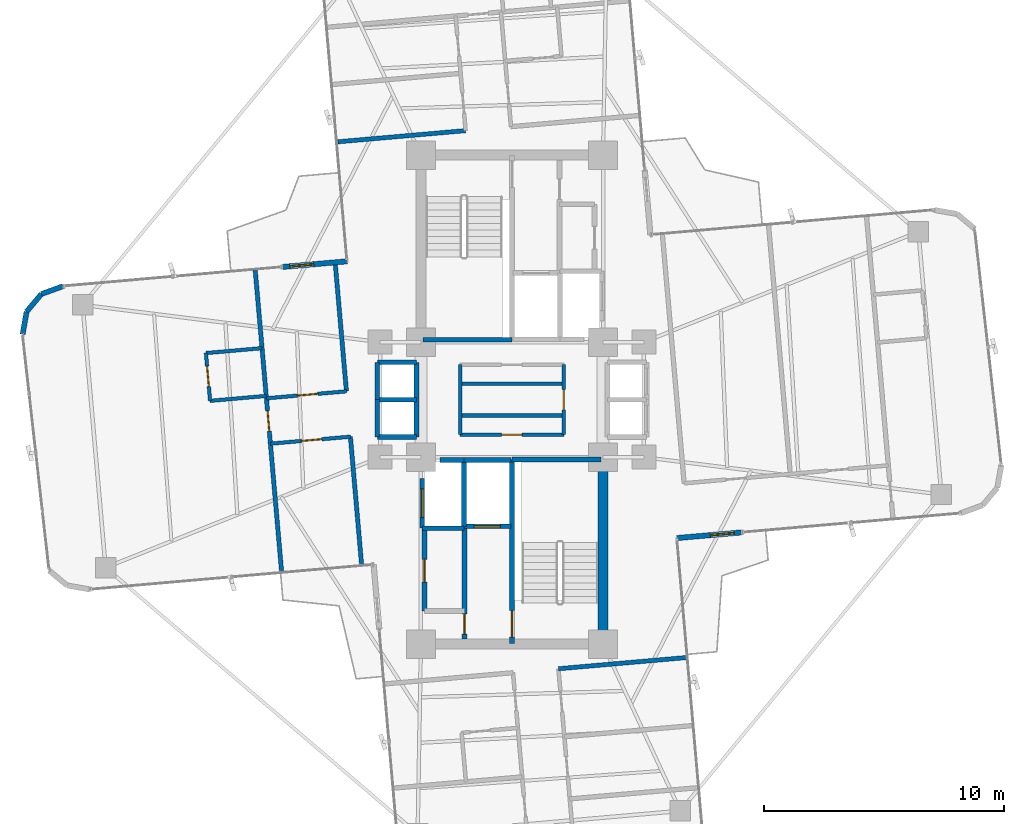
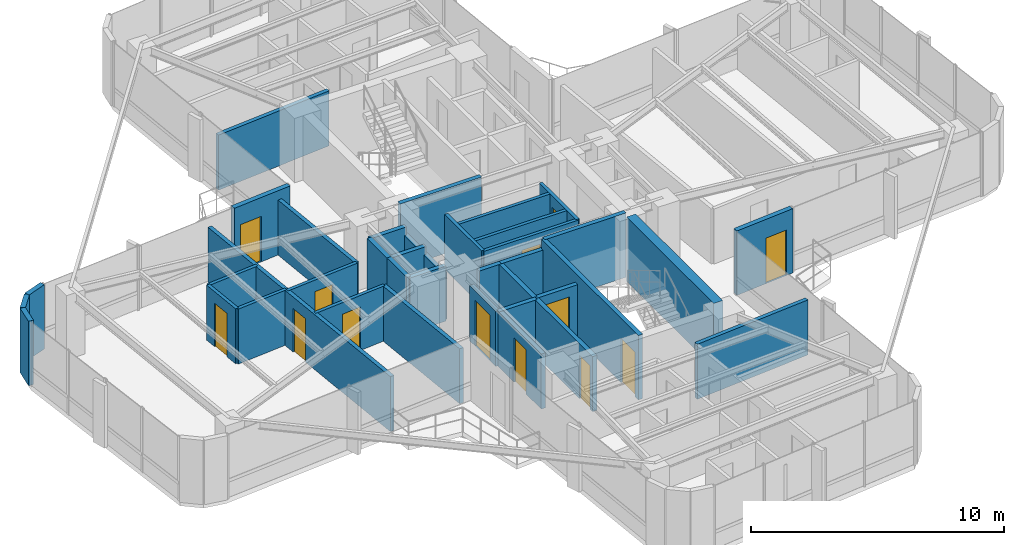
# One storey, part 21 of 24: 38 walls, 13 doors, 13 openings.
"""IFC4 building model written with IfcOpenShell, lengths in metres."""

from ifc_helpers import new_model, si_unit, direction, frame, frame_2d, origin, origin_2d, place, context, subcontext, project, spatial, rectangle, extrude, source, transform, mapped, material, layer, layer_set, type_object, element, fill, save


model = new_model("IFC4")

# Units and contexts
model_context = context("Model", 3, precision=1e-05, world=origin(), true_north=direction((0.0, 1.0)))
body_context = subcontext(model_context, "Body", "Model", "MODEL_VIEW")
ifc_project = project(units=[si_unit("LENGTHUNIT", "METRE"), si_unit("AREAUNIT", "SQUARE_METRE"), si_unit("VOLUMEUNIT", "CUBIC_METRE"), si_unit("PLANEANGLEUNIT", "RADIAN"), si_unit("MASSUNIT", "GRAM", prefix="KILO")], contexts=[model_context])

# Site, building, storey
site_placement = place(None, origin())
site = spatial("IfcSite", under=ifc_project, at=site_placement, CompositionType="ELEMENT")
building_placement = place(site_placement, origin())
building = spatial("IfcBuilding", under=site, at=building_placement, Name="Sahyath Konkavel Grand Hotel", CompositionType="ELEMENT")
storey_placement = place(building_placement, frame((0.0, 0.0, 157.300048828125)))
storey = spatial("IfcBuildingStorey", under=building, at=storey_placement, Name="L43", CompositionType="ELEMENT", Elevation=157.300048828125)

# Wall
ifc_material_1 = material(Name="Concrete C50/60", Category="concrete")
ifc_layer_1 = layer(ifc_material_1, 0.419921875)
ifc_layer_set_1 = layer_set([ifc_layer_1], Name="Concrete C50/60")
wall_type_1 = type_object("IfcWallType", Name="CWALL-420", PredefinedType="SHEAR", material=ifc_layer_set_1)
wall_1_placement = place(storey_placement, frame((3.800048828125, -9.75, 0.0), z_axis=(0.0, 0.0, 1.0), x_axis=(0.0, 1.0, 0.0)))
element("IfcWall", 1, at=wall_1_placement, inside=storey, type_object=wall_type_1, Name="L43 South Core Shear Wall E", PredefinedType="SHEAR", context=body_context, shape_type="SweptSolid", body=[
    extrude(rectangle(XDim=6.89990234375, YDim=0.419921875, at=frame_2d((3.449951171875, 0.0))), origin(), (0.0, 0.0, 1.0), 3.10986328125),
])

# Wall, opening, door
ifc_material_2 = material(Name="Warm Buff Sandstone Insulated Concrete C40/50", Category="masonry")
ifc_layer_2 = layer(ifc_material_2, 0.219970703125)
ifc_layer_set_2 = layer_set([ifc_layer_2], Name="Warm Buff Sandstone Insulated Concrete C40/50")
wall_type_2 = type_object("IfcWallType", Name="WLL-BALC-THRESH", PredefinedType="STANDARD", material=ifc_layer_set_2)
wall_2_placement = place(storey_placement, frame((6.87939453125, -5.7724609375, 0.0), z_axis=(0.0, 0.0, 1.0), x_axis=(0.996193619346, 0.087168071984, 0.0)))
wall_2 = element("IfcWall", 2, at=wall_2_placement, inside=storey, type_object=wall_type_2, Name="L43 Winter-Garden Threshold Wall 0", PredefinedType="STANDARD", context=body_context, shape_type="SweptSolid", body=[
    extrude(rectangle(XDim=2.699951171875, YDim=0.219970703125, at=frame_2d((1.35009765625, 0.0))), origin(), (0.0, 0.0, 1.0), 3.10986328125),
])
opening_1_placement = place(wall_2_placement, frame((1.39990234375, 0.0, 0.0)))
opening_1 = element("IfcOpeningElement", 3, at=opening_1_placement, cuts=wall_2, Name="Opening D-TR1", PredefinedType="OPENING", context=body_context, shape_type="SweptSolid", body=[
    extrude(rectangle(XDim=1.0, YDim=2.199951171875, at=frame_2d((0.5, 1.10009765625))), frame((0.0, 0.1201171875, 0.0), z_axis=(0.0, -1.0, 0.0), x_axis=(1.0, 0.0, 0.0)), (0.0, 0.0, 1.0), 0.239990234375),
])
ifc_material_3 = material(Name="Anodised Bronze Aluminium & Low-E Glazing", Category="aluminium")
door_type_1 = type_object("IfcDoorType", Name="DR-TERRACE-1000", OperationType="NOTDEFINED", PredefinedType="DOOR", material=ifc_material_3)
shared_shape_1 = source(origin(), body_context, "Body", "SweptSolid", [
    extrude(rectangle(XDim=1.0, YDim=0.050048828125, at=origin_2d()), origin(), (0.0, 0.0, 1.0), 2.199951171875),
])
door_1_placement = place(opening_1_placement, frame((0.5, 0.0, 0.0)))
door_1 = element("IfcDoor", 4, at=door_1_placement, inside=storey, type_object=door_type_1, Name="L43 Winter-Garden Terrace Door 0", OperationType="SINGLE_SWING_LEFT", OverallHeight=2.199951171875, OverallWidth=1.0, PredefinedType="DOOR", context=body_context, shape_type="MappedRepresentation", body=[
    mapped(shared_shape_1, transform((0.0, 0.0, 0.0), scale=1.0)),
])
fill(opening_1, door_1)

wall_3_placement = place(storey_placement, frame((-6.87939453125, 5.7724609375, 0.0), z_axis=(0.0, 0.0, 1.0), x_axis=(-0.996193619346, -0.087168071984, 0.0)))
wall_3 = element("IfcWall", 5, at=wall_3_placement, inside=storey, type_object=wall_type_2, Name="L43 Winter-Garden Threshold Wall 16", PredefinedType="STANDARD", context=body_context, shape_type="SweptSolid", body=[
    extrude(rectangle(XDim=2.699951171875, YDim=0.219970703125, at=frame_2d((1.35009765625, 0.0))), origin(), (0.0, 0.0, 1.0), 3.10986328125),
])
opening_2_placement = place(wall_3_placement, frame((1.39990234375, 0.0, 0.0)))
opening_2 = element("IfcOpeningElement", 6, at=opening_2_placement, cuts=wall_3, Name="Opening D-TR1", PredefinedType="OPENING", context=body_context, shape_type="SweptSolid", body=[
    extrude(rectangle(XDim=1.0, YDim=2.199951171875, at=frame_2d((0.5, 1.10009765625))), frame((0.0, 0.1201171875, 0.0), z_axis=(0.0, -1.0, 0.0), x_axis=(1.0, 0.0, 0.0)), (0.0, 0.0, 1.0), 0.239990234375),
])
door_2_placement = place(opening_2_placement, frame((0.5, 0.0, 0.0)))
door_2 = element("IfcDoor", 7, at=door_2_placement, inside=storey, type_object=door_type_1, Name="L43 Winter-Garden Terrace Door 16", OperationType="SINGLE_SWING_LEFT", OverallHeight=2.199951171875, OverallWidth=1.0, PredefinedType="DOOR", context=body_context, shape_type="MappedRepresentation", body=[
    mapped(shared_shape_1, transform((0.0, 0.0, 0.0), scale=1.0)),
])
fill(opening_2, door_2)

# Walls
wall_4_placement = place(storey_placement, frame((-18.73388671875, 4.735107421875, 0.0), z_axis=(0.0, 0.0, 1.0), x_axis=(-0.939741306239, -0.34188635151, 0.0)))
element("IfcWall", 8, at=wall_4_placement, inside=storey, type_object=wall_type_2, Name="L43 Rounded Corner Sandstone Pier 17", PredefinedType="STANDARD", context=body_context, shape_type="SweptSolid", body=[
    extrude(rectangle(XDim=0.95751953125, YDim=0.219970703125, at=frame_2d((0.478759765625, 0.0))), origin(), (0.0, 0.0, 1.0), 3.10986328125),
])
for number, where, z_axis, x_axis, name in (
    (9, (-19.6337890625, 4.40771484375, 0.0), (0.0, 0.0, 1.0), (-0.642863236823, -0.765980978054, 0.0), "L43 Rounded Corner Sandstone Pier 18"),
    (10, (-20.24951171875, 3.674072265625, 0.0), (0.0, 0.0, 1.0), (-0.173610811841, -0.984814340885, 0.0), "L43 Rounded Corner Sandstone Pier 19"),
):
    element("IfcWall", number, at=place(storey_placement, frame(where, z_axis=z_axis, x_axis=x_axis)), inside=storey, type_object=wall_type_2, Name=name, PredefinedType="STANDARD", context=body_context, shape_type="SweptSolid", body=[
        extrude(rectangle(XDim=0.957763671875, YDim=0.219970703125, at=frame_2d((0.47900390625, 0.0))), origin(), (0.0, 0.0, 1.0), 3.10986328125),
    ])
ifc_material_4 = material(Name="Concrete C40/50", Category="concrete")
ifc_layer_3 = layer(ifc_material_4, 0.199951171875)
ifc_layer_set_3 = layer_set([ifc_layer_3], Name="Concrete C40/50")
wall_type_3 = type_object("IfcWallType", Name="WLL-CORE-200", PredefinedType="SOLIDWALL", material=ifc_layer_set_3)
wall_5_placement = place(storey_placement, frame((-3.719970703125, 2.5, 0.0), z_axis=(0.0, 0.0, 1.0), x_axis=(1.0, 0.0, 0.0)))
element("IfcWall", 11, at=wall_5_placement, inside=storey, type_object=wall_type_3, Name="L43 Stair ST-1 Shaft Wall S", PredefinedType="SOLIDWALL", context=body_context, shape_type="SweptSolid", body=[
    extrude(rectangle(XDim=3.719970703125, YDim=0.199951171875, at=frame_2d((1.85986328125, 0.0))), origin(), (0.0, 0.0, 1.0), 3.10986328125),
])

# Wall, opening, door
wall_6_placement = place(storey_placement, frame((0.0, -10.179931640625, 0.0), z_axis=(0.0, 0.0, 1.0), x_axis=(0.0, 1.0, 0.0)))
wall_6 = element("IfcWall", 12, at=wall_6_placement, inside=storey, type_object=wall_type_3, Name="L43 Stair ST-2 Shaft Wall W", PredefinedType="SOLIDWALL", context=body_context, shape_type="SweptSolid", body=[
    extrude(rectangle(XDim=7.679931640625, YDim=0.199951171875, at=frame_2d((3.83984375, 0.0))), origin(), (0.0, 0.0, 1.0), 3.10986328125),
])
opening_3_placement = place(wall_6_placement, frame((0.280029296875, 0.0, 0.0)))
opening_3 = element("IfcOpeningElement", 13, at=opening_3_placement, cuts=wall_6, Name="Opening D-F12B", PredefinedType="OPENING", context=body_context, shape_type="SweptSolid", body=[
    extrude(rectangle(XDim=1.10009765625, YDim=2.14990234375, at=frame_2d((0.550048828125, 1.074951171875))), frame((0.0, 0.10986328125, 0.0), z_axis=(0.0, -1.0, 0.0), x_axis=(1.0, 0.0, 0.0)), (0.0, 0.0, 1.0), 0.219970703125),
])
ifc_material_5 = material(Name="Steel E350 Smokeproof Fire Door", Category="steel")
door_type_2 = type_object("IfcDoorType", Name="DR-FD120-1100", OperationType="NOTDEFINED", PredefinedType="DOOR", material=ifc_material_5)
shared_shape_2 = source(origin(), body_context, "Body", "SweptSolid", [
    extrude(rectangle(XDim=1.10009765625, YDim=0.050048828125, at=origin_2d()), origin(), (0.0, 0.0, 1.0), 2.14990234375),
])
door_3_placement = place(opening_3_placement, frame((0.550048828125, 0.0, 0.0)))
door_3 = element("IfcDoor", 14, at=door_3_placement, inside=storey, type_object=door_type_2, Name="L43 Stair ST-2 Fire Door", OperationType="SINGLE_SWING_RIGHT", OverallHeight=2.14990234375, OverallWidth=1.10009765625, PredefinedType="DOOR", context=body_context, shape_type="MappedRepresentation", body=[
    mapped(shared_shape_2, transform((0.0, 0.0, 0.0), scale=1.0)),
])
fill(opening_3, door_3)

# Wall
wall_7_placement = place(storey_placement, frame((0.0, -2.5, 0.0), z_axis=(0.0, 0.0, 1.0), x_axis=(1.0, 0.0, 0.0)))
element("IfcWall", 15, at=wall_7_placement, inside=storey, type_object=wall_type_3, Name="L43 Stair ST-2 Shaft Wall N", PredefinedType="SOLIDWALL", context=body_context, shape_type="SweptSolid", body=[
    extrude(rectangle(XDim=3.719970703125, YDim=0.199951171875, at=frame_2d((1.85986328125, 0.0))), origin(), (0.0, 0.0, 1.0), 3.10986328125),
])

# Wall, opening, door
wall_8_placement = place(storey_placement, frame((-1.97998046875, -9.97998046875, 0.0), z_axis=(0.0, 0.0, 1.0), x_axis=(0.0, 1.0, 0.0)))
wall_8 = element("IfcWall", 16, at=wall_8_placement, inside=storey, type_object=wall_type_3, Name="L43 South Firefighting Lobby Wall W", PredefinedType="SOLIDWALL", context=body_context, shape_type="SweptSolid", body=[
    extrude(rectangle(XDim=4.659912109375, YDim=0.199951171875, at=frame_2d((2.330078125, 0.0))), origin(), (0.0, 0.0, 1.0), 2.659912109375),
])
opening_4_placement = place(wall_8_placement, frame((0.199951171875, 0.0, 0.0)))
opening_4 = element("IfcOpeningElement", 17, at=opening_4_placement, cuts=wall_8, Name="Opening D-F12D", PredefinedType="OPENING", context=body_context, shape_type="SweptSolid", body=[
    extrude(rectangle(XDim=0.85009765625, YDim=2.10009765625, at=frame_2d((0.425048828125, 1.050048828125))), frame((0.0, 0.10986328125, 0.0), z_axis=(0.0, -1.0, 0.0), x_axis=(1.0, 0.0, 0.0)), (0.0, 0.0, 1.0), 0.219970703125),
])
ifc_material_6 = material(Name="Steel E350 Core Fire Door", Category="steel")
door_type_3 = type_object("IfcDoorType", Name="DR-FD120-850", OperationType="NOTDEFINED", PredefinedType="DOOR", material=ifc_material_6)
shared_shape_3 = source(origin(), body_context, "Body", "SweptSolid", [
    extrude(rectangle(XDim=0.85009765625, YDim=0.050048828125, at=origin_2d()), origin(), (0.0, 0.0, 1.0), 2.10009765625),
])
door_4_placement = place(opening_4_placement, frame((0.425048828125, 0.0, 0.0)))
door_4 = element("IfcDoor", 18, at=door_4_placement, inside=storey, type_object=door_type_3, Name="L43 South Firefighting Lobby Door", OperationType="SINGLE_SWING_RIGHT", OverallHeight=2.10009765625, OverallWidth=0.85009765625, PredefinedType="DOOR", context=body_context, shape_type="MappedRepresentation", body=[
    mapped(shared_shape_3, transform((0.0, 0.0, 0.0), scale=1.0)),
])
fill(opening_4, door_4)

# Walls
wall_9_placement = place(storey_placement, frame((-2.0, -5.280029296875, 0.0), z_axis=(0.0, 0.0, 1.0), x_axis=(0.0, 1.0, 0.0)))
element("IfcWall", 19, at=wall_9_placement, inside=storey, type_object=wall_type_3, Name="L43 Partition SH-FFL2-W", PredefinedType="SOLIDWALL", context=body_context, shape_type="SweptSolid", body=[
    extrude(rectangle(XDim=2.780029296875, YDim=0.199951171875, at=frame_2d((1.39013671875, 0.0))), origin(), (0.0, 0.0, 1.0), 2.659912109375),
])
wall_10_placement = place(storey_placement, frame((-2.0, -2.52001953125, 0.0), z_axis=(0.0, 0.0, 1.0), x_axis=(1.0, 0.0, 0.0)))
element("IfcWall", 20, at=wall_10_placement, inside=storey, type_object=wall_type_3, Name="L43 Partition SH-FFL2-N", PredefinedType="SOLIDWALL", context=body_context, shape_type="SweptSolid", body=[
    extrude(rectangle(XDim=1.949951171875, YDim=0.199951171875, at=frame_2d((0.97509765625, 0.0))), origin(), (0.0, 0.0, 1.0), 2.659912109375),
])

# Wall, opening, door
wall_11_placement = place(storey_placement, frame((-1.97998046875, -5.280029296875, 0.0), z_axis=(0.0, 0.0, 1.0), x_axis=(1.0, 0.0, 0.0)))
wall_11 = element("IfcWall", 21, at=wall_11_placement, inside=storey, type_object=wall_type_3, Name="L43 Partition SH-FFL2-S", PredefinedType="SOLIDWALL", context=body_context, shape_type="SweptSolid", body=[
    extrude(rectangle(XDim=1.929931640625, YDim=0.199951171875, at=frame_2d((0.96484375, 0.0))), origin(), (0.0, 0.0, 1.0), 2.659912109375),
])
opening_5_placement = place(wall_11_placement, frame((0.39990234375, 0.0, 0.0)))
opening_5 = element("IfcOpeningElement", 22, at=opening_5_placement, cuts=wall_11, Name="Opening LD-11", PredefinedType="OPENING", context=body_context, shape_type="SweptSolid", body=[
    extrude(rectangle(XDim=1.10009765625, YDim=2.199951171875, at=frame_2d((0.550048828125, 1.10009765625))), frame((0.0, 0.10986328125, 0.0), z_axis=(0.0, -1.0, 0.0), x_axis=(1.0, 0.0, 0.0)), (0.0, 0.0, 1.0), 0.219970703125),
])
ifc_material_7 = material(Name="Bronze Lift Landing Door 1100")
door_type_4 = type_object("IfcDoorType", Name="DR-LIFT-1100", OperationType="DOUBLE_DOOR_SLIDING", PredefinedType="DOOR", material=ifc_material_7)
shared_shape_4 = source(origin(), body_context, "Body", "SweptSolid", [
    extrude(rectangle(XDim=1.10009765625, YDim=0.050048828125, at=origin_2d()), origin(), (0.0, 0.0, 1.0), 2.199951171875),
])
door_5_placement = place(opening_5_placement, frame((0.550048828125, 0.0, 0.0)))
door_5 = element("IfcDoor", 23, at=door_5_placement, inside=storey, type_object=door_type_4, Name="L43 Lift FFL-2 Landing Door", OperationType="DOUBLE_DOOR_SLIDING", OverallHeight=2.199951171875, OverallWidth=1.10009765625, PredefinedType="DOOR", context=body_context, shape_type="MappedRepresentation", body=[
    mapped(shared_shape_4, transform((0.0, 0.0, 0.0), scale=1.0)),
])
fill(opening_5, door_5)

# Walls
wall_12_placement = place(storey_placement, frame((-3.0, -2.52001953125, 0.0), z_axis=(0.0, 0.0, 1.0), x_axis=(1.0, 0.0, 0.0)))
element("IfcWall", 24, at=wall_12_placement, inside=storey, type_object=wall_type_3, Name="L43 Partition SH-SVL2-N", PredefinedType="SOLIDWALL", context=body_context, shape_type="SweptSolid", body=[
    extrude(rectangle(XDim=1.0, YDim=0.199951171875, at=frame_2d((0.5, 0.0))), origin(), (0.0, 0.0, 1.0), 2.659912109375),
])
wall_13_placement = place(storey_placement, frame((-3.739990234375, -5.360107421875, 0.0), z_axis=(0.0, 0.0, 1.0), x_axis=(1.0, 0.0, 0.0)))
element("IfcWall", 25, at=wall_13_placement, inside=storey, type_object=wall_type_3, Name="L43 Partition SH-SVL2-S", PredefinedType="SOLIDWALL", context=body_context, shape_type="SweptSolid", body=[
    extrude(rectangle(XDim=1.739990234375, YDim=0.199951171875, at=frame_2d((0.8701171875, 0.0))), origin(), (0.0, 0.0, 1.0), 2.659912109375),
])

# Wall, opening, door
wall_14_placement = place(storey_placement, frame((-3.739990234375, -5.360107421875, 0.0), z_axis=(0.0, 0.0, 1.0), x_axis=(0.0, 1.0, 0.0)))
wall_14 = element("IfcWall", 26, at=wall_14_placement, inside=storey, type_object=wall_type_3, Name="L43 Partition SH-SVL2-W", PredefinedType="SOLIDWALL", context=body_context, shape_type="SweptSolid", body=[
    extrude(rectangle(XDim=2.080078125, YDim=0.199951171875, at=frame_2d((1.0400390625, 0.0))), origin(), (0.0, 0.0, 1.0), 2.659912109375),
])
opening_6_placement = place(wall_14_placement, frame((0.43994140625, 0.0, 0.0)))
opening_6 = element("IfcOpeningElement", 27, at=opening_6_placement, cuts=wall_14, Name="Opening LD-12", PredefinedType="OPENING", context=body_context, shape_type="SweptSolid", body=[
    extrude(rectangle(XDim=1.199951171875, YDim=2.199951171875, at=frame_2d((0.60009765625, 1.10009765625))), frame((0.0, 0.10986328125, 0.0), z_axis=(0.0, -1.0, 0.0), x_axis=(1.0, 0.0, 0.0)), (0.0, 0.0, 1.0), 0.219970703125),
])
ifc_material_8 = material(Name="Stainless Steel Lift Landing Door 1200", Category="steel")
door_type_5 = type_object("IfcDoorType", Name="DR-LIFT-1200", OperationType="DOUBLE_DOOR_SLIDING", PredefinedType="DOOR", material=ifc_material_8)
shared_shape_5 = source(origin(), body_context, "Body", "SweptSolid", [
    extrude(rectangle(XDim=1.199951171875, YDim=0.050048828125, at=origin_2d()), origin(), (0.0, 0.0, 1.0), 2.199951171875),
])
door_6_placement = place(opening_6_placement, frame((0.60009765625, 0.0, 0.0)))
door_6 = element("IfcDoor", 28, at=door_6_placement, inside=storey, type_object=door_type_5, Name="L43 Service Lift SVL-2 Landing Door", OperationType="DOUBLE_DOOR_SLIDING", OverallHeight=2.199951171875, OverallWidth=1.199951171875, PredefinedType="DOOR", context=body_context, shape_type="MappedRepresentation", body=[
    mapped(shared_shape_5, transform((0.0, 0.0, 0.0), scale=1.0)),
])
fill(opening_6, door_6)

# Walls
wall_15_placement = place(storey_placement, frame((-3.97998046875, -1.56005859375, 0.0), z_axis=(0.0, 0.0, 1.0), x_axis=(0.0, 1.0, 0.0)))
element("IfcWall", 29, at=wall_15_placement, inside=storey, type_object=wall_type_3, Name="L43 Partition SH-SL12-E", PredefinedType="SOLIDWALL", context=body_context, shape_type="SweptSolid", body=[
    extrude(rectangle(XDim=3.1201171875, YDim=0.199951171875, at=frame_2d((1.56005859375, 0.0))), origin(), (0.0, 0.0, 1.0), 2.280029296875),
])
for number, where, z_axis, x_axis, name in (
    (30, (-5.6201171875, 1.56005859375, 0.0), (0.0, 0.0, 1.0), (1.0, 0.0, 0.0), "L43 Partition SH-SL12-N"),
    (31, (-5.6201171875, -1.56005859375, 0.0), (0.0, 0.0, 1.0), (1.0, 0.0, 0.0), "L43 Partition SH-SL12-S"),
    (32, (-5.6201171875, 0.0, 0.0), (0.0, 0.0, 1.0), (1.0, 0.0, 0.0), "L43 Partition SH-SL12-M"),
):
    element("IfcWall", number, at=place(storey_placement, frame(where, z_axis=z_axis, x_axis=x_axis)), inside=storey, type_object=wall_type_3, Name=name, PredefinedType="SOLIDWALL", context=body_context, shape_type="SweptSolid", body=[
        extrude(rectangle(XDim=1.64013671875, YDim=0.199951171875, at=frame_2d((0.820068359375, 0.0))), origin(), (0.0, 0.0, 1.0), 2.659912109375),
    ])
for number, where, z_axis, x_axis, name in (
    (33, (-5.6201171875, 0.0, 0.0), (0.0, 0.0, 1.0), (0.0, 1.0, 0.0), "L43 Partition SH-SL1-W"),
    (34, (-5.6201171875, -1.56005859375, 0.0), (0.0, 0.0, 1.0), (0.0, 1.0, 0.0), "L43 Partition SH-SL2-W"),
):
    element("IfcWall", number, at=place(storey_placement, frame(where, z_axis=z_axis, x_axis=x_axis)), inside=storey, type_object=wall_type_3, Name=name, PredefinedType="SOLIDWALL", context=body_context, shape_type="SweptSolid", body=[
        extrude(rectangle(XDim=1.56005859375, YDim=0.199951171875, at=frame_2d((0.780029296875, 0.0))), origin(), (0.0, 0.0, 1.0), 2.659912109375),
    ])

# Wall, opening, door
wall_16_placement = place(storey_placement, frame((-3.64990234375, -8.81005859375, 0.0), z_axis=(0.0, 0.0, 1.0), x_axis=(0.0, 1.0, 0.0)))
wall_16 = element("IfcWall", 35, at=wall_16_placement, inside=storey, type_object=wall_type_3, Name="L43 Reclaimed South Core Wall W", PredefinedType="SOLIDWALL", context=body_context, shape_type="SweptSolid", body=[
    extrude(rectangle(XDim=3.43017578125, YDim=0.199951171875, at=frame_2d((1.715087890625, 0.0))), origin(), (0.0, 0.0, 1.0), 2.659912109375),
])
opening_7_placement = place(wall_16_placement, frame((1.199951171875, 0.0, 0.0)))
opening_7 = element("IfcOpeningElement", 36, at=opening_7_placement, cuts=wall_16, Name="Opening D-AC95", PredefinedType="OPENING", context=body_context, shape_type="SweptSolid", body=[
    extrude(rectangle(XDim=0.949951171875, YDim=2.14990234375, at=frame_2d((0.47509765625, 1.074951171875))), frame((0.0, 0.10986328125, 0.0), z_axis=(0.0, -1.0, 0.0), x_axis=(1.0, 0.0, 0.0)), (0.0, 0.0, 1.0), 0.219970703125),
])
ifc_material_9 = material(Name="Accessible Washroom Timber Door", Category="wood")
door_type_6 = type_object("IfcDoorType", Name="DR-ACC-950", OperationType="NOTDEFINED", PredefinedType="DOOR", material=ifc_material_9)
shared_shape_6 = source(origin(), body_context, "Body", "SweptSolid", [
    extrude(rectangle(XDim=0.949951171875, YDim=0.050048828125, at=origin_2d()), origin(), (0.0, 0.0, 1.0), 2.14990234375),
])
door_7_placement = place(opening_7_placement, frame((0.47509765625, 0.0, 0.0)))
door_7 = element("IfcDoor", 37, at=door_7_placement, inside=storey, type_object=door_type_6, Name="L43 Door SC-REC1-D", OperationType="SINGLE_SWING_RIGHT", OverallHeight=2.14990234375, OverallWidth=0.949951171875, PredefinedType="DOOR", context=body_context, shape_type="MappedRepresentation", body=[
    mapped(shared_shape_6, transform((0.0, 0.0, 0.0), scale=1.0)),
])
fill(opening_7, door_7)

# Walls
ifc_material_10 = material(Name="Twin-Stud Acoustic Gypsum Plasterboard Partition")
ifc_layer_4 = layer(ifc_material_10, 0.179931640625)
ifc_layer_set_4 = layer_set([ifc_layer_4], Name="Twin-Stud Acoustic Gypsum Plasterboard Partition")
wall_type_4 = type_object("IfcWallType", Name="WLL-DEMISE-180", PredefinedType="PARTITIONING", material=ifc_layer_set_4)
for number, where, z_axis, x_axis, name in (
    (38, (-1.935546875, 11.22412109375, 0.0), (0.0, 0.0, 1.0), (-0.996194212812, -0.087161289348, 0.0), "L43 Partition N-INL"),
    (39, (-6.7412109375, -1.54345703125, 0.0), (0.0, 0.0, 1.0), (0.087161289348, -0.996194212812, 0.0), "L43 Partition W-INL"),
    (40, (-7.373046875, 5.678955078125, 0.0), (0.0, 0.0, 1.0), (0.087161289348, -0.996194212812, 0.0), "L43 Partition W-INR"),
):
    element("IfcWall", number, at=place(storey_placement, frame(where, z_axis=z_axis, x_axis=x_axis)), inside=storey, type_object=wall_type_4, Name=name, PredefinedType="PARTITIONING", context=body_context, shape_type="SweptSolid", body=[
        extrude(rectangle(XDim=5.349853515625, YDim=0.179931640625, at=frame_2d((2.6748046875, 0.0))), origin(), (0.0, 0.0, 1.0), 2.659912109375),
    ])

# Wall, opening, door
wall_17_placement = place(storey_placement, frame((-10.710205078125, 5.386962890625, 0.0), z_axis=(0.0, 0.0, 1.0), x_axis=(0.087154691724, -0.996194790044, 0.0)))
wall_17 = element("IfcWall", 41, at=wall_17_placement, inside=storey, type_object=wall_type_4, Name="L43 Partition W-WTIP-END", PredefinedType="PARTITIONING", context=body_context, shape_type="SweptSolid", body=[
    extrude(rectangle(XDim=12.599853515625, YDim=0.179931640625, at=frame_2d((6.2998046875, 0.0))), origin(), (0.0, 0.0, 1.0), 2.659912109375),
])
opening_8_placement = place(wall_17_placement, frame((5.875, 0.0, 0.0)))
opening_8 = element("IfcOpeningElement", 42, at=opening_8_placement, cuts=wall_17, Name="Opening D-F06D", PredefinedType="OPENING", context=body_context, shape_type="SweptSolid", body=[
    extrude(rectangle(XDim=0.85009765625, YDim=2.10009765625, at=frame_2d((0.425048828125, 1.050048828125))), frame((0.0, 0.10009765625, 0.0), z_axis=(0.0, -1.0, 0.0), x_axis=(1.0, 0.0, 0.0)), (0.0, 0.0, 1.0), 0.199951171875),
])
ifc_material_11 = material(Name="Fire-Rated Shaft Access Door")
door_type_7 = type_object("IfcDoorType", Name="DR-FD60-850", OperationType="NOTDEFINED", PredefinedType="DOOR", material=ifc_material_11)
door_8_placement = place(opening_8_placement, frame((0.425048828125, 0.0, 0.0)))
door_8 = element("IfcDoor", 43, at=door_8_placement, inside=storey, type_object=door_type_7, Name="L43 Door W-WTIP-ED", OperationType="SINGLE_SWING_LEFT", OverallHeight=2.10009765625, OverallWidth=0.85009765625, PredefinedType="DOOR", context=body_context, shape_type="MappedRepresentation", body=[
    mapped(shared_shape_3, transform((0.0, 0.0, 0.0), scale=1.0)),
])
fill(opening_8, door_8)

# Wall
wall_18_placement = place(storey_placement, frame((1.935546875, -11.22412109375, 0.0), z_axis=(0.0, 0.0, 1.0), x_axis=(0.996194212812, 0.087161289348, 0.0)))
element("IfcWall", 44, at=wall_18_placement, inside=storey, type_object=wall_type_4, Name="L43 Partition S-INL", PredefinedType="PARTITIONING", context=body_context, shape_type="SweptSolid", body=[
    extrude(rectangle(XDim=5.349853515625, YDim=0.179931640625, at=frame_2d((2.6748046875, 0.0))), origin(), (0.0, 0.0, 1.0), 2.659912109375),
])

# Wall, opening, door
ifc_material_12 = material(Name="Fire-Rated Gypsum Plasterboard Partition")
ifc_layer_5 = layer(ifc_material_12, 0.14990234375)
ifc_layer_set_5 = layer_set([ifc_layer_5], Name="Fire-Rated Gypsum Plasterboard Partition")
wall_type_5 = type_object("IfcWallType", Name="WLL-PART-150", PredefinedType="PARTITIONING", material=ifc_layer_set_5)
wall_19_placement = place(storey_placement, frame((2.159912109375, -1.4599609375, 0.0), z_axis=(0.0, 0.0, 1.0), x_axis=(0.0, 1.0, 0.0)))
wall_19 = element("IfcWall", 45, at=wall_19_placement, inside=storey, type_object=wall_type_5, Name="L43 Partition CC-2E", PredefinedType="PARTITIONING", context=body_context, shape_type="SweptSolid", body=[
    extrude(rectangle(XDim=2.919921875, YDim=0.14990234375, at=frame_2d((1.4599609375, 0.0))), origin(), (0.0, 0.0, 1.0), 2.659912109375),
])
opening_9_placement = place(wall_19_placement, frame((1.034912109375, 0.0, 0.0)))
opening_9 = element("IfcOpeningElement", 46, at=opening_9_placement, cuts=wall_19, Name="Opening D-F06D", PredefinedType="OPENING", context=body_context, shape_type="SweptSolid", body=[
    extrude(rectangle(XDim=0.85009765625, YDim=2.10009765625, at=frame_2d((0.425048828125, 1.050048828125))), frame((0.0, 0.0849609375, 0.0), z_axis=(0.0, -1.0, 0.0), x_axis=(1.0, 0.0, 0.0)), (0.0, 0.0, 1.0), 0.169921875),
])
door_9_placement = place(opening_9_placement, frame((0.425048828125, 0.0, 0.0)))
door_9 = element("IfcDoor", 47, at=door_9_placement, inside=storey, type_object=door_type_7, Name="L43 Door CC-D2B", OperationType="SINGLE_SWING_RIGHT", OverallHeight=2.10009765625, OverallWidth=0.85009765625, PredefinedType="DOOR", context=body_context, shape_type="MappedRepresentation", body=[
    mapped(shared_shape_3, transform((0.0, 0.0, 0.0), scale=1.0)),
])
fill(opening_9, door_9)

# Wall
wall_20_placement = place(storey_placement, frame((-2.159912109375, -1.4599609375, 0.0), z_axis=(0.0, 0.0, 1.0), x_axis=(0.0, 1.0, 0.0)))
element("IfcWall", 48, at=wall_20_placement, inside=storey, type_object=wall_type_5, Name="L43 Partition CC-2W", PredefinedType="PARTITIONING", context=body_context, shape_type="SweptSolid", body=[
    extrude(rectangle(XDim=2.919921875, YDim=0.14990234375, at=frame_2d((1.4599609375, 0.0))), origin(), (0.0, 0.0, 1.0), 2.659912109375),
])

# Wall, opening, door
wall_21_placement = place(storey_placement, frame((-2.159912109375, -1.4599609375, 0.0), z_axis=(0.0, 0.0, 1.0), x_axis=(1.0, 0.0, 0.0)))
wall_21 = element("IfcWall", 49, at=wall_21_placement, inside=storey, type_object=wall_type_5, Name="L43 Partition CC-2S", PredefinedType="PARTITIONING", context=body_context, shape_type="SweptSolid", body=[
    extrude(rectangle(XDim=4.31982421875, YDim=0.14990234375, at=frame_2d((2.159912109375, 0.0))), origin(), (0.0, 0.0, 1.0), 2.659912109375),
])
opening_10_placement = place(wall_21_placement, frame((1.72998046875, 0.0, 0.0)))
opening_10 = element("IfcOpeningElement", 50, at=opening_10_placement, cuts=wall_21, Name="Opening D-F06D", PredefinedType="OPENING", context=body_context, shape_type="SweptSolid", body=[
    extrude(rectangle(XDim=0.85009765625, YDim=2.10009765625, at=frame_2d((0.425048828125, 1.050048828125))), frame((0.0, 0.0849609375, 0.0), z_axis=(0.0, -1.0, 0.0), x_axis=(1.0, 0.0, 0.0)), (0.0, 0.0, 1.0), 0.169921875),
])
door_10_placement = place(opening_10_placement, frame((0.425048828125, 0.0, 0.0)))
door_10 = element("IfcDoor", 51, at=door_10_placement, inside=storey, type_object=door_type_7, Name="L43 Door CC-D2C", OperationType="SINGLE_SWING_LEFT", OverallHeight=2.10009765625, OverallWidth=0.85009765625, PredefinedType="DOOR", context=body_context, shape_type="MappedRepresentation", body=[
    mapped(shared_shape_3, transform((0.0, 0.0, 0.0), scale=1.0)),
])
fill(opening_10, door_10)

# Walls
for number, where, z_axis, x_axis, name in (
    (52, (-2.159912109375, 0.659912109375, 0.0), (0.0, 0.0, 1.0), (1.0, 0.0, 0.0), "L43 Partition CC-2M1"),
    (53, (-2.159912109375, -0.659912109375, 0.0), (0.0, 0.0, 1.0), (1.0, 0.0, 0.0), "L43 Partition CC-2M2"),
):
    element("IfcWall", number, at=place(storey_placement, frame(where, z_axis=z_axis, x_axis=x_axis)), inside=storey, type_object=wall_type_5, Name=name, PredefinedType="PARTITIONING", context=body_context, shape_type="SweptSolid", body=[
        extrude(rectangle(XDim=4.31982421875, YDim=0.14990234375, at=frame_2d((2.159912109375, 0.0))), origin(), (0.0, 0.0, 1.0), 2.659912109375),
    ])

# Wall, opening, door
wall_22_placement = place(storey_placement, frame((-6.7412109375, -1.54345703125, 0.0), z_axis=(0.0, 0.0, 1.0), x_axis=(-0.996193954812, -0.087164238054, 0.0)))
wall_22 = element("IfcWall", 54, at=wall_22_placement, inside=storey, type_object=wall_type_5, Name="L43 Partition W-CL", PredefinedType="PARTITIONING", context=body_context, shape_type="SweptSolid", body=[
    extrude(rectangle(XDim=3.349853515625, YDim=0.14990234375, at=frame_2d((1.6748046875, 0.0))), origin(), (0.0, 0.0, 1.0), 2.659912109375),
])
opening_11_placement = place(wall_22_placement, frame((1.199951171875, 0.0, 0.0)))
opening_11 = element("IfcOpeningElement", 55, at=opening_11_placement, cuts=wall_22, Name="Opening D-F06D", PredefinedType="OPENING", context=body_context, shape_type="SweptSolid", body=[
    extrude(rectangle(XDim=0.85009765625, YDim=2.10009765625, at=frame_2d((0.425048828125, 1.050048828125))), frame((0.0, 0.0849609375, 0.0), z_axis=(0.0, -1.0, 0.0), x_axis=(1.0, 0.0, 0.0)), (0.0, 0.0, 1.0), 0.169921875),
])
door_11_placement = place(opening_11_placement, frame((0.425048828125, 0.0, 0.0)))
door_11 = element("IfcDoor", 56, at=door_11_placement, inside=storey, type_object=door_type_7, Name="L43 Door W-WS3L-D", OperationType="SINGLE_SWING_RIGHT", OverallHeight=2.10009765625, OverallWidth=0.85009765625, PredefinedType="DOOR", context=body_context, shape_type="MappedRepresentation", body=[
    mapped(shared_shape_3, transform((0.0, 0.0, 0.0), scale=1.0)),
])
fill(opening_11, door_11)

wall_23_placement = place(storey_placement, frame((-6.90673828125, 0.349365234375, 0.0), z_axis=(0.0, 0.0, 1.0), x_axis=(-0.996193954812, -0.087164238054, 0.0)))
wall_23 = element("IfcWall", 57, at=wall_23_placement, inside=storey, type_object=wall_type_5, Name="L43 Partition W-CR", PredefinedType="PARTITIONING", context=body_context, shape_type="SweptSolid", body=[
    extrude(rectangle(XDim=3.349853515625, YDim=0.14990234375, at=frame_2d((1.6748046875, 0.0))), origin(), (0.0, 0.0, 1.0), 2.659912109375),
])
opening_12_placement = place(wall_23_placement, frame((1.199951171875, 0.0, 0.0)))
opening_12 = element("IfcOpeningElement", 58, at=opening_12_placement, cuts=wall_23, Name="Opening D-F06D", PredefinedType="OPENING", context=body_context, shape_type="SweptSolid", body=[
    extrude(rectangle(XDim=0.85009765625, YDim=2.10009765625, at=frame_2d((0.425048828125, 1.050048828125))), frame((0.0, 0.0849609375, 0.0), z_axis=(0.0, -1.0, 0.0), x_axis=(1.0, 0.0, 0.0)), (0.0, 0.0, 1.0), 0.169921875),
])
door_12_placement = place(opening_12_placement, frame((0.425048828125, 0.0, 0.0)))
door_12 = element("IfcDoor", 59, at=door_12_placement, inside=storey, type_object=door_type_7, Name="L43 Door W-WS3R-D", OperationType="SINGLE_SWING_LEFT", OverallHeight=2.10009765625, OverallWidth=0.85009765625, PredefinedType="DOOR", context=body_context, shape_type="MappedRepresentation", body=[
    mapped(shared_shape_3, transform((0.0, 0.0, 0.0), scale=1.0)),
])
fill(opening_12, door_12)

# Walls
for number, where, z_axis, x_axis, name in (
    (60, (-10.252685546875, 0.156982421875, 0.0), (0.0, 0.0, 1.0), (-0.996194055785, -0.087163084034, 0.0), "L43 Partition W-WTIP-BN"),
    (61, (-10.427001953125, 2.1494140625, 0.0), (0.0, 0.0, 1.0), (-0.996194055785, -0.087163084034, 0.0), "L43 Partition W-WTIP-BS"),
):
    element("IfcWall", number, at=place(storey_placement, frame(where, z_axis=z_axis, x_axis=x_axis)), inside=storey, type_object=wall_type_5, Name=name, PredefinedType="PARTITIONING", context=body_context, shape_type="SweptSolid", body=[
        extrude(rectangle(XDim=2.35009765625, YDim=0.14990234375, at=frame_2d((1.175048828125, 0.0))), origin(), (0.0, 0.0, 1.0), 2.659912109375),
    ])

# Wall, opening, door
wall_24_placement = place(storey_placement, frame((-12.76806640625, 1.944580078125, 0.0), z_axis=(0.0, 0.0, 1.0), x_axis=(0.087156350505, -0.99619464492, 0.0)))
wall_24 = element("IfcWall", 62, at=wall_24_placement, inside=storey, type_object=wall_type_5, Name="L43 Partition W-WTIP-BE", PredefinedType="PARTITIONING", context=body_context, shape_type="SweptSolid", body=[
    extrude(rectangle(XDim=2.0, YDim=0.14990234375, at=frame_2d((1.0, 0.0))), origin(), (0.0, 0.0, 1.0), 2.659912109375),
])
opening_13_placement = place(wall_24_placement, frame((0.550048828125, 0.0, 0.0)))
opening_13 = element("IfcOpeningElement", 63, at=opening_13_placement, cuts=wall_24, Name="Opening D-BT85", PredefinedType="OPENING", context=body_context, shape_type="SweptSolid", body=[
    extrude(rectangle(XDim=0.85009765625, YDim=2.10009765625, at=frame_2d((0.425048828125, 1.050048828125))), frame((0.0, 0.0849609375, 0.0), z_axis=(0.0, -1.0, 0.0), x_axis=(1.0, 0.0, 0.0)), (0.0, 0.0, 1.0), 0.169921875),
])
ifc_material_13 = material(Name="Moisture-Resistant Teak Bathroom Door")
door_type_8 = type_object("IfcDoorType", Name="DR-BATH-850", OperationType="NOTDEFINED", PredefinedType="DOOR", material=ifc_material_13)
door_13_placement = place(opening_13_placement, frame((0.425048828125, 0.0, 0.0)))
door_13 = element("IfcDoor", 64, at=door_13_placement, inside=storey, type_object=door_type_8, Name="L43 Door W-WTIP-BD", OperationType="SINGLE_SWING_RIGHT", OverallHeight=2.10009765625, OverallWidth=0.85009765625, PredefinedType="DOOR", context=body_context, shape_type="MappedRepresentation", body=[
    mapped(shared_shape_3, transform((0.0, 0.0, 0.0), scale=1.0)),
])
fill(opening_13, door_13)

save(model, "model.ifc")
